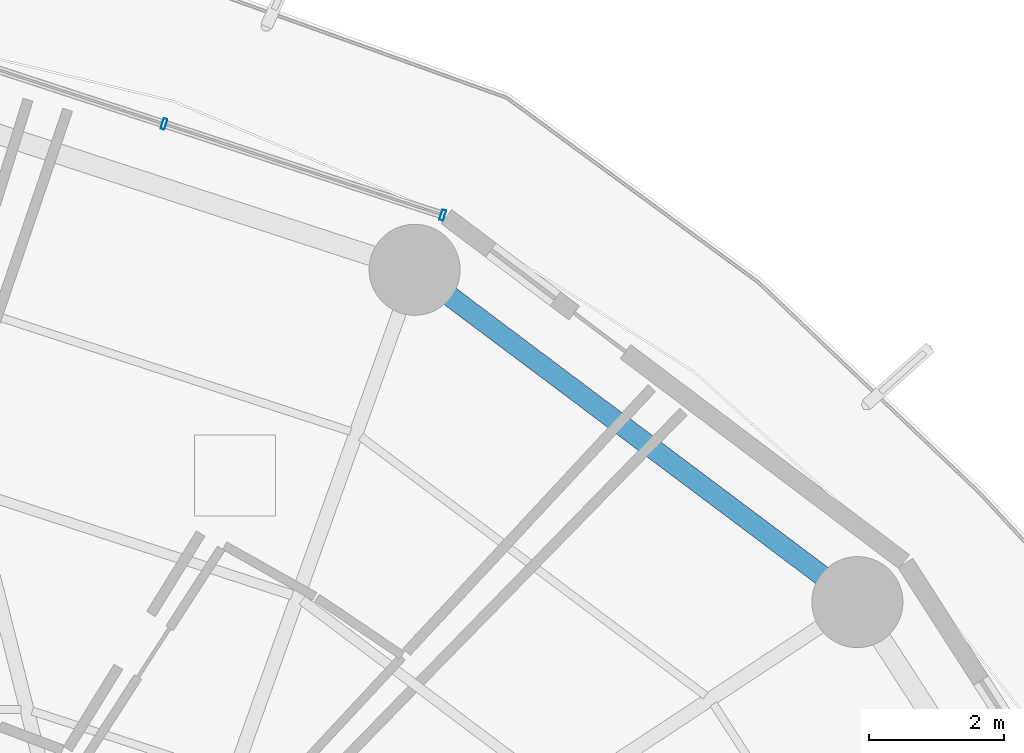
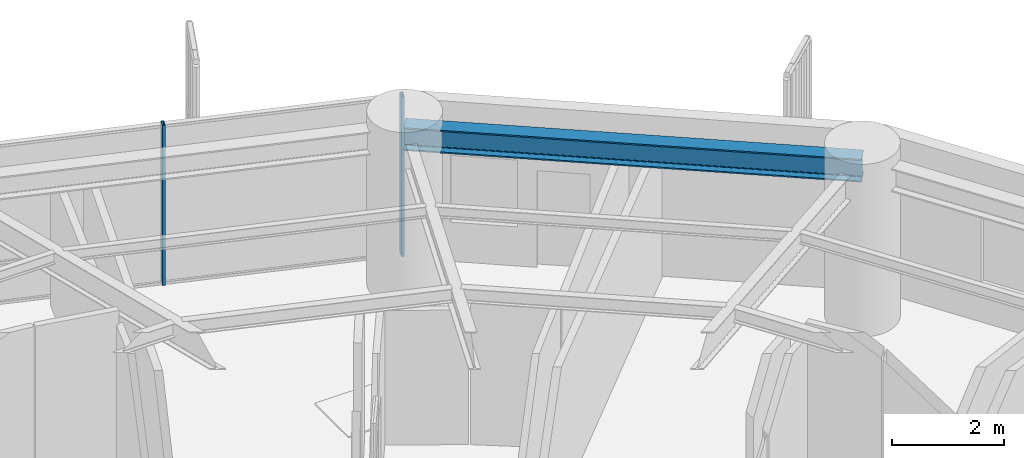
# One storey, part 24 of 35: 2 members, 1 beam, 1 element without a shape of its own.
"""IFC4 building model written with IfcOpenShell, lengths in metres."""

from ifc_helpers import new_model, si_unit, direction, frame, origin, origin_2d, place, context, subcontext, project, spatial, hollow_rectangle, i_section, extrude, material, layer, layer_set, material_profile, profile_set, type_object, element, aggregate, save


model = new_model("IFC4")

# Units and contexts
model_context = context("Model", 3, precision=1e-05, world=origin(), true_north=direction((0.0, 1.0)))
body_context = subcontext(model_context, "Body", "Model", "MODEL_VIEW")
ifc_project = project(units=[si_unit("LENGTHUNIT", "METRE"), si_unit("AREAUNIT", "SQUARE_METRE"), si_unit("VOLUMEUNIT", "CUBIC_METRE"), si_unit("PLANEANGLEUNIT", "RADIAN"), si_unit("MASSUNIT", "GRAM", prefix="KILO")], contexts=[model_context])

# Site, building, storey
site_placement = place(None, origin())
site = spatial("IfcSite", under=ifc_project, at=site_placement, CompositionType="ELEMENT")
building_placement = place(site_placement, origin())
building = spatial("IfcBuilding", under=site, at=building_placement, Name="Kelanora Arch Commons", CompositionType="ELEMENT")
storey_placement = place(building_placement, frame((0.0, 0.0, 91.35009765625)))
storey = spatial("IfcBuildingStorey", under=building, at=storey_placement, Name="L23", CompositionType="ELEMENT", Elevation=91.35009765625)

# Beam
ifc_material_1 = material(Name="Steel S355", Category="steel")
ifc_material_profile_1 = material_profile(ifc_material_1, i_section(OverallWidth=0.300048828125, OverallDepth=0.5, WebThickness=0.014404296875, FlangeThickness=0.028076171875, FilletRadius=0.027099609375, at=origin_2d()), Name="HEB500")
ifc_profile_set_1 = profile_set([ifc_material_profile_1], Name="Steel S355")
beam_type = type_object("IfcBeamType", Name="BM-SPN-Z2", PredefinedType="SPANDREL", material=ifc_profile_set_1)
beam_placement = place(storey_placement, frame((92.906005859375, 72.19287109375, 3.239990234375), z_axis=(-0.799735861602, 0.600352023123, 0.0), x_axis=(-0.600352023123, -0.799735861602, 0.0)))
element("IfcBeam", 1, at=beam_placement, inside=storey, type_object=beam_type, Name="Perimeter Spandrel Beam BS-04 L23", PredefinedType="SPANDREL", context=body_context, shape_type="SweptSolid", body=[
    extrude(i_section(OverallWidth=0.300048828125, OverallDepth=0.5, WebThickness=0.014404296875, FlangeThickness=0.028076171875, FilletRadius=0.027099609375, at=origin_2d()), origin(), (0.0, 0.0, 1.0), 8.210205078125),
])

# Curtain wall, members
ifc_material_2 = material(Name="Terracotta ceramic-fritted low-E glass and aluminium", Category="masonry")
ifc_layer = layer(ifc_material_2, 0.159912109375)
ifc_layer_set = layer_set([ifc_layer], Name="Terracotta ceramic-fritted low-E glass and aluminium")
curtain_wall_type = type_object("IfcCurtainWallType", Name="CW-SYS-01", PredefinedType="NOTDEFINED", material=ifc_layer_set)
curtain_wall_placement = place(storey_placement, origin())
curtain_wall = element("IfcCurtainWall", 2, at=curtain_wall_placement, inside=storey, type_object=curtain_wall_type, Name="Unitised Curtain Wall L23-B03", PredefinedType="NOTDEFINED")
ifc_material_3 = material(Name="Powder-coated aluminium terracotta", Category="masonry")
ifc_material_profile_2 = material_profile(ifc_material_3, hollow_rectangle(XDim=0.159912109375, YDim=0.06005859375, WallThickness=0.0048828125, InnerFilletRadius=0.0048828125, OuterFilletRadius=0.010009765625, at=origin_2d()), Name="CWM160x60")
ifc_profile_set_2 = profile_set([ifc_material_profile_2], Name="Powder-coated aluminium terracotta")
member_type = type_object("IfcMemberType", Name="CWM-STD", PredefinedType="MULLION", material=ifc_profile_set_2)
member_1_placement = place(storey_placement, frame((86.757080078125, 77.9326171875, 0.0), z_axis=(0.0, 0.0, 1.0), x_axis=(-0.31080470294, -0.950473795867, 0.0)))
member_1 = element("IfcMember", 3, at=member_1_placement, type_object=member_type, Name="CW-01 mullion 1", PredefinedType="MULLION", context=body_context, shape_type="SweptSolid", body=[
    extrude(hollow_rectangle(XDim=0.159912109375, YDim=0.06005859375, WallThickness=0.0048828125, InnerFilletRadius=0.0048828125, OuterFilletRadius=0.010009765625, at=origin_2d()), origin(), (0.0, 0.0, 1.0), 3.474853515625),
])
member_2_placement = place(storey_placement, frame((82.622802734375, 79.28466796875, 0.0), z_axis=(0.0, 0.0, 1.0), x_axis=(-0.31080470294, -0.950473795867, 0.0)))
member_2 = element("IfcMember", 4, at=member_2_placement, type_object=member_type, Name="CW-01 mullion 2", PredefinedType="MULLION", context=body_context, shape_type="SweptSolid", body=[
    extrude(hollow_rectangle(XDim=0.159912109375, YDim=0.06005859375, WallThickness=0.0048828125, InnerFilletRadius=0.0048828125, OuterFilletRadius=0.010009765625, at=origin_2d()), origin(), (0.0, 0.0, 1.0), 3.474853515625),
])
aggregate(curtain_wall, [member_1, member_2])

save(model, "model.ifc")
